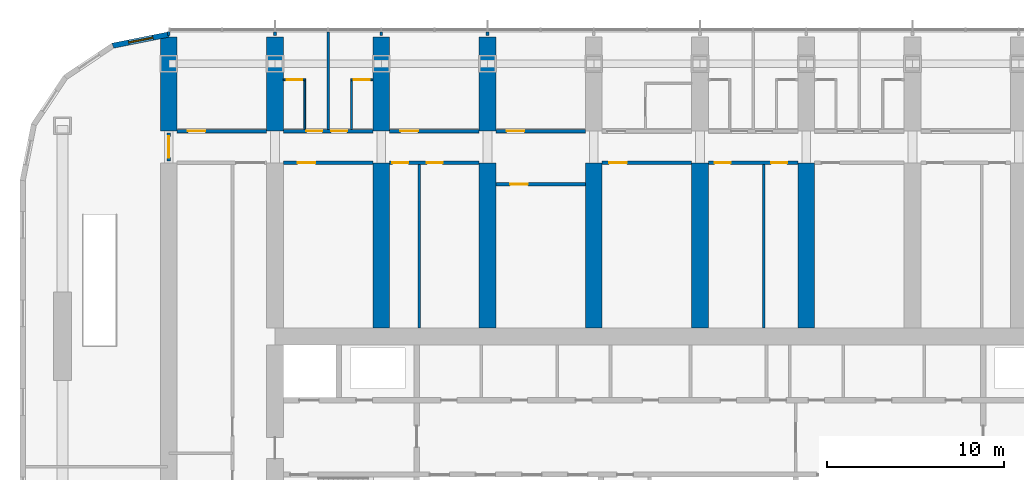
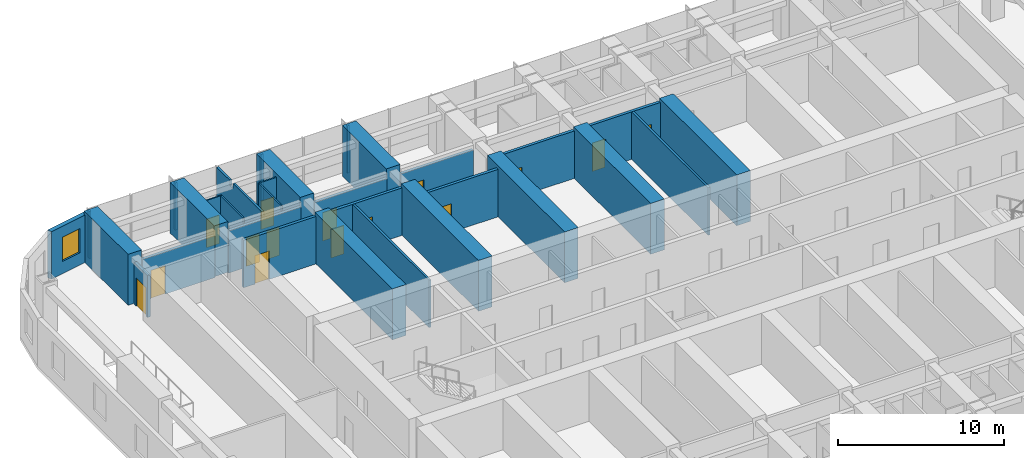
# One storey, part 13 of 21: 31 walls, 15 doors, 1 window, 16 openings.
"""IFC4 building model written with IfcOpenShell, lengths in metres."""

from ifc_helpers import new_model, si_unit, direction, frame, frame_2d, origin, place, context, subcontext, project, spatial, polyline, rectangle, outline, extrude, material, layer, layer_set, type_object, element, fill, save


model = new_model("IFC4")

# Units and contexts
model_context = context("Model", 3, precision=1e-05, world=origin(), true_north=direction((0.0, 1.0)))
body_context = subcontext(model_context, "Body", "Model", "MODEL_VIEW")
ifc_project = project(units=[si_unit("LENGTHUNIT", "METRE"), si_unit("AREAUNIT", "SQUARE_METRE"), si_unit("VOLUMEUNIT", "CUBIC_METRE"), si_unit("PLANEANGLEUNIT", "RADIAN"), si_unit("MASSUNIT", "GRAM", prefix="KILO")], contexts=[model_context])

# Site, building, storey
site_placement = place(None, origin())
site = spatial("IfcSite", under=ifc_project, at=site_placement, CompositionType="ELEMENT")
building_placement = place(site_placement, origin())
building = spatial("IfcBuilding", under=site, at=building_placement, Name="Orbita Commons", CompositionType="ELEMENT")
storey_placement = place(building_placement, frame((0.0, 0.0, 103.14990234375)))
storey = spatial("IfcBuildingStorey", under=building, at=storey_placement, Name="L25", CompositionType="ELEMENT", Elevation=103.14990234375)

# Wall, opening, door
ifc_material_1 = material(Name="Concrete blockwork", Category="masonry")
ifc_layer_1 = layer(ifc_material_1, 0.199951171875)
ifc_layer_set_1 = layer_set([ifc_layer_1], Name="Concrete blockwork")
wall_type_1 = type_object("IfcWallType", Name="Corridor wall 200 blockwork", PredefinedType="SOLIDWALL", material=ifc_layer_set_1)
wall_1_placement = place(storey_placement, frame((12.47509765625, 49.800048828125, 0.0), z_axis=(0.0, 0.0, 1.0), x_axis=(1.0, 0.0, 0.0)))
wall_1 = element("IfcWall", 1, at=wall_1_placement, inside=storey, type_object=wall_type_1, Name="Corridor wall 200 blockwork L25", PredefinedType="SOLIDWALL", context=body_context, shape_type="SweptSolid", body=[
    extrude(outline(polyline([(0.0, 0.0), (5.0498046875, 0.0), (5.050048828125, 3.10009765625), (0.0, 3.10009765625), (0.0, 0.0)])), frame((0.0, 0.10009765625, 0.0), z_axis=(0.0, -1.0, 0.0), x_axis=(1.0, 0.0, 0.0)), (0.0, 0.0, 1.0), 0.199951171875),
])
opening_1_placement = place(wall_1_placement, frame((0.60009765625, 0.0, 0.0)))
opening_1 = element("IfcOpeningElement", 2, at=opening_1_placement, cuts=wall_1, Name="Opening D06", PredefinedType="OPENING", context=body_context, shape_type="SweptSolid", body=[
    extrude(rectangle(XDim=1.0, YDim=2.10009765625, at=frame_2d((0.5, 1.050048828125))), frame((0.0, 0.10986328125, 0.0), z_axis=(0.0, -1.0, 0.0), x_axis=(1.0, 0.0, 0.0)), (0.0, 0.0, 1.0), 0.219970703125),
])
ifc_material_2 = material(Name="Steel-faced fire door leaf", Category="steel")
door_type_1 = type_object("IfcDoorType", Name="Corridor door 20 min 1000x2100", OperationType="SINGLE_SWING_LEFT", PredefinedType="DOOR", material=ifc_material_2)
door_1_placement = place(opening_1_placement, origin())
door_1 = element("IfcDoor", 3, at=door_1_placement, inside=storey, type_object=door_type_1, Name="Sea-view lounge L25-N00 door", OperationType="SINGLE_SWING_LEFT", OverallHeight=2.10009765625, OverallWidth=1.0, PredefinedType="DOOR", context=body_context, shape_type="SweptSolid", body=[
    extrude(rectangle(XDim=1.0, YDim=2.10009765625, at=frame_2d((0.5, 1.050048828125))), frame((0.0, 0.02490234375, 0.0), z_axis=(0.0, -1.0, 0.0), x_axis=(1.0, 0.0, 0.0)), (0.0, 0.0, 1.0), 0.050048828125),
])
fill(opening_1, door_1)

# Wall, openings, doors
wall_2_placement = place(storey_placement, frame((18.47509765625, 49.800048828125, 0.0), z_axis=(0.0, 0.0, 1.0), x_axis=(1.0, 0.0, 0.0)))
wall_2 = element("IfcWall", 4, at=wall_2_placement, inside=storey, type_object=wall_type_1, Name="Corridor wall 200 blockwork L25", PredefinedType="SOLIDWALL", context=body_context, shape_type="SweptSolid", body=[
    extrude(outline(polyline([(0.0, 0.0), (5.0498046875, 0.0), (5.050048828125, 3.10009765625), (0.0, 3.10009765625), (0.0, 0.0)])), frame((0.0, 0.10009765625, 0.0), z_axis=(0.0, -1.0, 0.0), x_axis=(1.0, 0.0, 0.0)), (0.0, 0.0, 1.0), 0.199951171875),
])
opening_2_placement = place(wall_2_placement, frame((1.300048828125, 0.0, 0.0)))
opening_2 = element("IfcOpeningElement", 5, at=opening_2_placement, cuts=wall_2, Name="Opening D11", PredefinedType="OPENING", context=body_context, shape_type="SweptSolid", body=[
    extrude(rectangle(XDim=0.89990234375, YDim=2.10009765625, at=frame_2d((0.449951171875, 1.050048828125))), frame((0.0, 0.10986328125, 0.0), z_axis=(0.0, -1.0, 0.0), x_axis=(1.0, 0.0, 0.0)), (0.0, 0.0, 1.0), 0.219970703125),
])
opening_3_placement = place(wall_2_placement, frame((2.699951171875, 0.0, 0.0)))
opening_3 = element("IfcOpeningElement", 6, at=opening_3_placement, cuts=wall_2, Name="Opening D11", PredefinedType="OPENING", context=body_context, shape_type="SweptSolid", body=[
    extrude(rectangle(XDim=0.89990234375, YDim=2.10009765625, at=frame_2d((0.449951171875, 1.050048828125))), frame((0.0, 0.10986328125, 0.0), z_axis=(0.0, -1.0, 0.0), x_axis=(1.0, 0.0, 0.0)), (0.0, 0.0, 1.0), 0.219970703125),
])
ifc_material_3 = material(Name="Steel-faced fire door leaf", Category="steel")
door_type_2 = type_object("IfcDoorType", Name="Corridor door 20 min 900x2100", OperationType="SINGLE_SWING_LEFT", PredefinedType="DOOR", material=ifc_material_3)
door_2_placement = place(opening_2_placement, origin())
door_2 = element("IfcDoor", 7, at=door_2_placement, inside=storey, type_object=door_type_2, Name="Cluster bedroom L25-N02 door", OperationType="SINGLE_SWING_LEFT", OverallHeight=2.10009765625, OverallWidth=0.89990234375, PredefinedType="DOOR", context=body_context, shape_type="SweptSolid", body=[
    extrude(rectangle(XDim=0.89990234375, YDim=2.10009765625, at=frame_2d((0.449951171875, 1.050048828125))), frame((0.0, 0.02490234375, 0.0), z_axis=(0.0, -1.0, 0.0), x_axis=(1.0, 0.0, 0.0)), (0.0, 0.0, 1.0), 0.050048828125),
])
fill(opening_2, door_2)
door_3_placement = place(opening_3_placement, origin())
door_3 = element("IfcDoor", 8, at=door_3_placement, inside=storey, type_object=door_type_2, Name="Cluster bedroom L25-N03 door", OperationType="SINGLE_SWING_LEFT", OverallHeight=2.10009765625, OverallWidth=0.89990234375, PredefinedType="DOOR", context=body_context, shape_type="SweptSolid", body=[
    extrude(rectangle(XDim=0.89990234375, YDim=2.10009765625, at=frame_2d((0.449951171875, 1.050048828125))), frame((0.0, 0.02490234375, 0.0), z_axis=(0.0, -1.0, 0.0), x_axis=(1.0, 0.0, 0.0)), (0.0, 0.0, 1.0), 0.050048828125),
])
fill(opening_3, door_3)

# Wall, opening, door
wall_3_placement = place(storey_placement, frame((24.47509765625, 49.800048828125, 0.0), z_axis=(0.0, 0.0, 1.0), x_axis=(1.0, 0.0, 0.0)))
wall_3 = element("IfcWall", 9, at=wall_3_placement, inside=storey, type_object=wall_type_1, Name="Corridor wall 200 blockwork L25", PredefinedType="SOLIDWALL", context=body_context, shape_type="SweptSolid", body=[
    extrude(outline(polyline([(0.0, 0.0), (5.0498046875, 0.0), (5.050048828125, 3.10009765625), (0.0, 3.10009765625), (0.0, 0.0)])), frame((0.0, 0.10009765625, 0.0), z_axis=(0.0, -1.0, 0.0), x_axis=(1.0, 0.0, 0.0)), (0.0, 0.0, 1.0), 0.199951171875),
])
opening_4_placement = place(wall_3_placement, frame((0.60009765625, 0.0, 0.0)))
opening_4 = element("IfcOpeningElement", 10, at=opening_4_placement, cuts=wall_3, Name="Opening D06", PredefinedType="OPENING", context=body_context, shape_type="SweptSolid", body=[
    extrude(rectangle(XDim=1.0, YDim=2.10009765625, at=frame_2d((0.5, 1.050048828125))), frame((0.0, 0.10986328125, 0.0), z_axis=(0.0, -1.0, 0.0), x_axis=(1.0, 0.0, 0.0)), (0.0, 0.0, 1.0), 0.219970703125),
])
door_4_placement = place(opening_4_placement, origin())
door_4 = element("IfcDoor", 11, at=door_4_placement, inside=storey, type_object=door_type_1, Name="Sea-view lounge L25-N04 door", OperationType="SINGLE_SWING_LEFT", OverallHeight=2.10009765625, OverallWidth=1.0, PredefinedType="DOOR", context=body_context, shape_type="SweptSolid", body=[
    extrude(rectangle(XDim=1.0, YDim=2.10009765625, at=frame_2d((0.5, 1.050048828125))), frame((0.0, 0.02490234375, 0.0), z_axis=(0.0, -1.0, 0.0), x_axis=(1.0, 0.0, 0.0)), (0.0, 0.0, 1.0), 0.050048828125),
])
fill(opening_4, door_4)

wall_4_placement = place(storey_placement, frame((30.47509765625, 49.800048828125, 0.0), z_axis=(0.0, 0.0, 1.0), x_axis=(1.0, 0.0, 0.0)))
wall_4 = element("IfcWall", 12, at=wall_4_placement, inside=storey, type_object=wall_type_1, Name="Corridor wall 200 blockwork L25", PredefinedType="SOLIDWALL", context=body_context, shape_type="SweptSolid", body=[
    extrude(outline(polyline([(0.0, 0.0), (5.0498046875, 0.0), (5.050048828125, 3.10009765625), (0.0, 3.10009765625), (0.0, 0.0)])), frame((0.0, 0.10009765625, 0.0), z_axis=(0.0, -1.0, 0.0), x_axis=(1.0, 0.0, 0.0)), (0.0, 0.0, 1.0), 0.199951171875),
])
opening_5_placement = place(wall_4_placement, frame((0.60009765625, 0.0, 0.0)))
opening_5 = element("IfcOpeningElement", 13, at=opening_5_placement, cuts=wall_4, Name="Opening D06", PredefinedType="OPENING", context=body_context, shape_type="SweptSolid", body=[
    extrude(rectangle(XDim=1.0, YDim=2.10009765625, at=frame_2d((0.5, 1.050048828125))), frame((0.0, 0.10986328125, 0.0), z_axis=(0.0, -1.0, 0.0), x_axis=(1.0, 0.0, 0.0)), (0.0, 0.0, 1.0), 0.219970703125),
])
door_5_placement = place(opening_5_placement, origin())
door_5 = element("IfcDoor", 14, at=door_5_placement, inside=storey, type_object=door_type_1, Name="Sea-view lounge L25-N06 door", OperationType="SINGLE_SWING_LEFT", OverallHeight=2.10009765625, OverallWidth=1.0, PredefinedType="DOOR", context=body_context, shape_type="SweptSolid", body=[
    extrude(rectangle(XDim=1.0, YDim=2.10009765625, at=frame_2d((0.5, 1.050048828125))), frame((0.0, 0.02490234375, 0.0), z_axis=(0.0, -1.0, 0.0), x_axis=(1.0, 0.0, 0.0)), (0.0, 0.0, 1.0), 0.050048828125),
])
fill(opening_5, door_5)

wall_5_placement = place(storey_placement, frame((12.0, 48.10009765625, 0.0), z_axis=(0.0, 0.0, 1.0), x_axis=(0.0, 1.0, 0.0)))
wall_5 = element("IfcWall", 15, at=wall_5_placement, inside=storey, type_object=wall_type_1, Name="Corridor wall 200 blockwork L25", PredefinedType="SOLIDWALL", context=body_context, shape_type="SweptSolid", body=[
    extrude(outline(polyline([(0.0, 0.0), (1.599853515625, 0.0), (1.60009765625, 3.10009765625), (0.0, 3.10009765625), (0.0, 0.0)])), frame((0.0, 0.10009765625, 0.0), z_axis=(0.0, -1.0, 0.0), x_axis=(1.0, 0.0, 0.0)), (0.0, 0.0, 1.0), 0.199951171875),
])
opening_6_placement = place(wall_5_placement, frame((0.199951171875, 0.0, 0.0)))
opening_6 = element("IfcOpeningElement", 16, at=opening_6_placement, cuts=wall_5, Name="Opening D12", PredefinedType="OPENING", context=body_context, shape_type="SweptSolid", body=[
    extrude(rectangle(XDim=1.199951171875, YDim=2.10009765625, at=frame_2d((0.60009765625, 1.050048828125))), frame((0.0, 0.10986328125, 0.0), z_axis=(0.0, -1.0, 0.0), x_axis=(1.0, 0.0, 0.0)), (0.0, 0.0, 1.0), 0.219970703125),
])
ifc_material_4 = material(Name="Steel-faced fire door leaf", Category="steel")
door_type_3 = type_object("IfcDoorType", Name="Double corridor door 20 min 1200x2100", OperationType="DOUBLE_DOOR_SINGLE_SWING", PredefinedType="DOOR", material=ifc_material_4)
door_6_placement = place(opening_6_placement, origin())
door_6 = element("IfcDoor", 17, at=door_6_placement, inside=storey, type_object=door_type_3, Name="Lounge doors", OperationType="DOUBLE_DOOR_SINGLE_SWING", OverallHeight=2.10009765625, OverallWidth=1.199951171875, PredefinedType="DOOR", context=body_context, shape_type="SweptSolid", body=[
    extrude(rectangle(XDim=1.199951171875, YDim=2.10009765625, at=frame_2d((0.60009765625, 1.050048828125))), frame((0.0, 0.02490234375, 0.0), z_axis=(0.0, -1.0, 0.0), x_axis=(1.0, 0.0, 0.0)), (0.0, 0.0, 1.0), 0.050048828125),
])
fill(opening_6, door_6)

ifc_material_5 = material(Name="Hollow concrete block 200", Category="concrete")
ifc_layer_2 = layer(ifc_material_5, 0.199951171875)
ifc_layer_set_2 = layer_set([ifc_layer_2], Name="Hollow concrete block 200")
wall_type_2 = type_object("IfcWallType", Name="Corridor wall 200 hollow concrete block", PredefinedType="SOLIDWALL", material=ifc_layer_set_2)
wall_6_placement = place(storey_placement, frame((18.47509765625, 48.0, 0.0), z_axis=(0.0, 0.0, 1.0), x_axis=(1.0, 0.0, 0.0)))
wall_6 = element("IfcWall", 18, at=wall_6_placement, inside=storey, type_object=wall_type_2, Name="Corridor wall 200 hollow concrete block L25", PredefinedType="SOLIDWALL", context=body_context, shape_type="SweptSolid", body=[
    extrude(rectangle(XDim=5.0498046875, YDim=0.199951171875, at=frame_2d((2.52490234375, 0.0))), origin(), (0.0, 0.0, 1.0), 3.5),
])
opening_7_placement = place(wall_6_placement, frame((0.800048828125, 0.0, 0.0)))
opening_7 = element("IfcOpeningElement", 19, at=opening_7_placement, cuts=wall_6, Name="Opening D06", PredefinedType="OPENING", context=body_context, shape_type="SweptSolid", body=[
    extrude(rectangle(XDim=1.0, YDim=2.10009765625, at=frame_2d((0.5, 1.050048828125))), frame((0.0, 0.10986328125, 0.0), z_axis=(0.0, -1.0, 0.0), x_axis=(1.0, 0.0, 0.0)), (0.0, 0.0, 1.0), 0.219970703125),
])
door_7_placement = place(opening_7_placement, origin())
door_7 = element("IfcDoor", 20, at=door_7_placement, inside=storey, type_object=door_type_1, Name="Electrical and data room L25-BDN18 door", OperationType="SINGLE_SWING_LEFT", OverallHeight=2.10009765625, OverallWidth=1.0, PredefinedType="DOOR", context=body_context, shape_type="SweptSolid", body=[
    extrude(rectangle(XDim=1.0, YDim=2.10009765625, at=frame_2d((0.5, 1.050048828125))), frame((0.0, 0.02490234375, 0.0), z_axis=(0.0, -1.0, 0.0), x_axis=(1.0, 0.0, 0.0)), (0.0, 0.0, 1.0), 0.050048828125),
])
fill(opening_7, door_7)

# Wall, openings, doors
wall_7_placement = place(storey_placement, frame((24.47509765625, 48.0, 0.0), z_axis=(0.0, 0.0, 1.0), x_axis=(1.0, 0.0, 0.0)))
wall_7 = element("IfcWall", 21, at=wall_7_placement, inside=storey, type_object=wall_type_2, Name="Corridor wall 200 hollow concrete block L25", PredefinedType="SOLIDWALL", context=body_context, shape_type="SweptSolid", body=[
    extrude(rectangle(XDim=5.0498046875, YDim=0.199951171875, at=frame_2d((2.52490234375, 0.0))), origin(), (0.0, 0.0, 1.0), 3.5),
])
opening_8_placement = place(wall_7_placement, frame((0.14990234375, 0.0, 0.0)))
opening_8 = element("IfcOpeningElement", 22, at=opening_8_placement, cuts=wall_7, Name="Opening D11", PredefinedType="OPENING", context=body_context, shape_type="SweptSolid", body=[
    extrude(rectangle(XDim=0.89990234375, YDim=2.10009765625, at=frame_2d((0.449951171875, 1.050048828125))), frame((0.0, 0.10986328125, 0.0), z_axis=(0.0, -1.0, 0.0), x_axis=(1.0, 0.0, 0.0)), (0.0, 0.0, 1.0), 0.219970703125),
])
opening_9_placement = place(wall_7_placement, frame((2.094970703125, 0.0, 0.0)))
opening_9 = element("IfcOpeningElement", 23, at=opening_9_placement, cuts=wall_7, Name="Opening D11", PredefinedType="OPENING", context=body_context, shape_type="SweptSolid", body=[
    extrude(rectangle(XDim=0.89990234375, YDim=2.10009765625, at=frame_2d((0.449951171875, 1.050048828125))), frame((0.0, 0.10986328125, 0.0), z_axis=(0.0, -1.0, 0.0), x_axis=(1.0, 0.0, 0.0)), (0.0, 0.0, 1.0), 0.219970703125),
])
door_8_placement = place(opening_8_placement, origin())
door_8 = element("IfcDoor", 24, at=door_8_placement, inside=storey, type_object=door_type_2, Name="Battery and UPS room L25-BDN24n door", OperationType="SINGLE_SWING_LEFT", OverallHeight=2.10009765625, OverallWidth=0.89990234375, PredefinedType="DOOR", context=body_context, shape_type="SweptSolid", body=[
    extrude(rectangle(XDim=0.89990234375, YDim=2.10009765625, at=frame_2d((0.449951171875, 1.050048828125))), frame((0.0, 0.02490234375, 0.0), z_axis=(0.0, -1.0, 0.0), x_axis=(1.0, 0.0, 0.0)), (0.0, 0.0, 1.0), 0.050048828125),
])
fill(opening_8, door_8)
door_9_placement = place(opening_9_placement, origin())
door_9 = element("IfcDoor", 25, at=door_9_placement, inside=storey, type_object=door_type_2, Name="Storage lockers L25-BDN24 door", OperationType="SINGLE_SWING_LEFT", OverallHeight=2.10009765625, OverallWidth=0.89990234375, PredefinedType="DOOR", context=body_context, shape_type="SweptSolid", body=[
    extrude(rectangle(XDim=0.89990234375, YDim=2.10009765625, at=frame_2d((0.449951171875, 1.050048828125))), frame((0.0, 0.02490234375, 0.0), z_axis=(0.0, -1.0, 0.0), x_axis=(1.0, 0.0, 0.0)), (0.0, 0.0, 1.0), 0.050048828125),
])
fill(opening_9, door_9)

# Wall, opening, door
wall_8_placement = place(storey_placement, frame((36.47509765625, 48.0, 0.0), z_axis=(0.0, 0.0, 1.0), x_axis=(1.0, 0.0, 0.0)))
wall_8 = element("IfcWall", 26, at=wall_8_placement, inside=storey, type_object=wall_type_2, Name="Corridor wall 200 hollow concrete block L25", PredefinedType="SOLIDWALL", context=body_context, shape_type="SweptSolid", body=[
    extrude(rectangle(XDim=5.0498046875, YDim=0.199951171875, at=frame_2d((2.52490234375, 0.0))), origin(), (0.0, 0.0, 1.0), 3.5),
])
opening_10_placement = place(wall_8_placement, frame((0.39990234375, 0.0, 0.0)))
opening_10 = element("IfcOpeningElement", 27, at=opening_10_placement, cuts=wall_8, Name="Opening D06", PredefinedType="OPENING", context=body_context, shape_type="SweptSolid", body=[
    extrude(rectangle(XDim=1.0, YDim=2.10009765625, at=frame_2d((0.5, 1.050048828125))), frame((0.0, 0.10986328125, 0.0), z_axis=(0.0, -1.0, 0.0), x_axis=(1.0, 0.0, 0.0)), (0.0, 0.0, 1.0), 0.219970703125),
])
door_10_placement = place(opening_10_placement, origin())
door_10 = element("IfcDoor", 28, at=door_10_placement, inside=storey, type_object=door_type_1, Name="Parcel and post room L25-BDN36 door", OperationType="SINGLE_SWING_LEFT", OverallHeight=2.10009765625, OverallWidth=1.0, PredefinedType="DOOR", context=body_context, shape_type="SweptSolid", body=[
    extrude(rectangle(XDim=1.0, YDim=2.10009765625, at=frame_2d((0.5, 1.050048828125))), frame((0.0, 0.02490234375, 0.0), z_axis=(0.0, -1.0, 0.0), x_axis=(1.0, 0.0, 0.0)), (0.0, 0.0, 1.0), 0.050048828125),
])
fill(opening_10, door_10)

# Wall, openings, doors
wall_9_placement = place(storey_placement, frame((42.47509765625, 48.0, 0.0), z_axis=(0.0, 0.0, 1.0), x_axis=(1.0, 0.0, 0.0)))
wall_9 = element("IfcWall", 29, at=wall_9_placement, inside=storey, type_object=wall_type_2, Name="Corridor wall 200 hollow concrete block L25", PredefinedType="SOLIDWALL", context=body_context, shape_type="SweptSolid", body=[
    extrude(rectangle(XDim=5.0498046875, YDim=0.199951171875, at=frame_2d((2.52490234375, 0.0))), origin(), (0.0, 0.0, 1.0), 3.5),
])
opening_11_placement = place(wall_9_placement, frame((0.35009765625, 0.0, 0.0)))
opening_11 = element("IfcOpeningElement", 30, at=opening_11_placement, cuts=wall_9, Name="Opening D11", PredefinedType="OPENING", context=body_context, shape_type="SweptSolid", body=[
    extrude(rectangle(XDim=0.89990234375, YDim=2.10009765625, at=frame_2d((0.449951171875, 1.050048828125))), frame((0.0, 0.10986328125, 0.0), z_axis=(0.0, -1.0, 0.0), x_axis=(1.0, 0.0, 0.0)), (0.0, 0.0, 1.0), 0.219970703125),
])
opening_12_placement = place(wall_9_placement, frame((3.544921875, 0.0, 0.0)))
opening_12 = element("IfcOpeningElement", 31, at=opening_12_placement, cuts=wall_9, Name="Opening D11", PredefinedType="OPENING", context=body_context, shape_type="SweptSolid", body=[
    extrude(rectangle(XDim=0.89990234375, YDim=2.10009765625, at=frame_2d((0.449951171875, 1.050048828125))), frame((0.0, 0.10986328125, 0.0), z_axis=(0.0, -1.0, 0.0), x_axis=(1.0, 0.0, 0.0)), (0.0, 0.0, 1.0), 0.219970703125),
])
door_11_placement = place(opening_11_placement, origin())
door_11 = element("IfcDoor", 32, at=door_11_placement, inside=storey, type_object=door_type_2, Name="Ventilation plant room south L25-BDN42 door", OperationType="SINGLE_SWING_LEFT", OverallHeight=2.10009765625, OverallWidth=0.89990234375, PredefinedType="DOOR", context=body_context, shape_type="SweptSolid", body=[
    extrude(rectangle(XDim=0.89990234375, YDim=2.10009765625, at=frame_2d((0.449951171875, 1.050048828125))), frame((0.0, 0.02490234375, 0.0), z_axis=(0.0, -1.0, 0.0), x_axis=(1.0, 0.0, 0.0)), (0.0, 0.0, 1.0), 0.050048828125),
])
fill(opening_11, door_11)
door_12_placement = place(opening_12_placement, origin())
door_12 = element("IfcDoor", 33, at=door_12_placement, inside=storey, type_object=door_type_2, Name="Sprinkler valve room L25-BDN42n door", OperationType="SINGLE_SWING_LEFT", OverallHeight=2.10009765625, OverallWidth=0.89990234375, PredefinedType="DOOR", context=body_context, shape_type="SweptSolid", body=[
    extrude(rectangle(XDim=0.89990234375, YDim=2.10009765625, at=frame_2d((0.449951171875, 1.050048828125))), frame((0.0, 0.02490234375, 0.0), z_axis=(0.0, -1.0, 0.0), x_axis=(1.0, 0.0, 0.0)), (0.0, 0.0, 1.0), 0.050048828125),
])
fill(opening_12, door_12)

# Wall, opening, door
wall_10_placement = place(storey_placement, frame((30.47509765625, 46.800048828125, 0.0), z_axis=(0.0, 0.0, 1.0), x_axis=(1.0, 0.0, 0.0)))
wall_10 = element("IfcWall", 34, at=wall_10_placement, inside=storey, type_object=wall_type_2, Name="Corridor wall 200 hollow concrete block L25", PredefinedType="SOLIDWALL", context=body_context, shape_type="SweptSolid", body=[
    extrude(rectangle(XDim=5.0498046875, YDim=0.199951171875, at=frame_2d((2.52490234375, 0.0))), origin(), (0.0, 0.0, 1.0), 3.5),
])
opening_13_placement = place(wall_10_placement, frame((0.800048828125, 0.0, 0.0)))
opening_13 = element("IfcOpeningElement", 35, at=opening_13_placement, cuts=wall_10, Name="Opening D06", PredefinedType="OPENING", context=body_context, shape_type="SweptSolid", body=[
    extrude(rectangle(XDim=1.0, YDim=2.10009765625, at=frame_2d((0.5, 1.050048828125))), frame((0.0, 0.10986328125, 0.0), z_axis=(0.0, -1.0, 0.0), x_axis=(1.0, 0.0, 0.0)), (0.0, 0.0, 1.0), 0.219970703125),
])
door_13_placement = place(opening_13_placement, origin())
door_13 = element("IfcDoor", 36, at=door_13_placement, inside=storey, type_object=door_type_1, Name="Ventilation plant room north L25-BDN30 door", OperationType="SINGLE_SWING_LEFT", OverallHeight=2.10009765625, OverallWidth=1.0, PredefinedType="DOOR", context=body_context, shape_type="SweptSolid", body=[
    extrude(rectangle(XDim=1.0, YDim=2.10009765625, at=frame_2d((0.5, 1.050048828125))), frame((0.0, 0.02490234375, 0.0), z_axis=(0.0, -1.0, 0.0), x_axis=(1.0, 0.0, 0.0)), (0.0, 0.0, 1.0), 0.050048828125),
])
fill(opening_13, door_13)

# Walls
ifc_material_6 = material(Name="Concrete C50/60", Category="concrete")
ifc_layer_3 = layer(ifc_material_6, 0.949951171875)
ifc_layer_set_3 = layer_set([ifc_layer_3], Name="Concrete C50/60")
wall_type_3 = type_object("IfcWallType", Name="Cross wall 950 C50/60", PredefinedType="SHEAR", material=ifc_layer_set_3)
for number, where, z_axis, x_axis, name in (
    (37, (12.0, 49.800048828125, 0.0), (0.0, 0.0, 1.0), (0.0, 1.0, 0.0), "Cross wall 3 north outer L25"),
    (38, (18.0, 49.800048828125, 0.0), (0.0, 0.0, 1.0), (0.0, 1.0, 0.0), "Cross wall 4 north outer L25"),
    (39, (24.0, 49.800048828125, 0.0), (0.0, 0.0, 1.0), (0.0, 1.0, 0.0), "Cross wall 5 north outer L25"),
):
    element("IfcWall", number, at=place(storey_placement, frame(where, z_axis=z_axis, x_axis=x_axis)), inside=storey, type_object=wall_type_3, Name=name, PredefinedType="SHEAR", context=body_context, shape_type="SweptSolid", body=[
        extrude(rectangle(XDim=5.300048828125, YDim=0.949951171875, at=frame_2d((2.64990234375, 0.0))), origin(), (0.0, 0.0, 1.0), 3.75),
    ])
wall_11_placement = place(storey_placement, frame((24.0, 38.675048828125, 0.0), z_axis=(0.0, 0.0, 1.0), x_axis=(0.0, 1.0, 0.0)))
element("IfcWall", 40, at=wall_11_placement, inside=storey, type_object=wall_type_3, Name="Cross wall 5 north inner L25", PredefinedType="SHEAR", context=body_context, shape_type="SweptSolid", body=[
    extrude(rectangle(XDim=9.324951171875, YDim=0.949951171875, at=frame_2d((4.66259765625, 0.0))), origin(), (0.0, 0.0, 1.0), 3.75),
])
wall_12_placement = place(storey_placement, frame((30.0, 49.800048828125, 0.0), z_axis=(0.0, 0.0, 1.0), x_axis=(0.0, 1.0, 0.0)))
element("IfcWall", 41, at=wall_12_placement, inside=storey, type_object=wall_type_3, Name="Cross wall 6 north outer L25", PredefinedType="SHEAR", context=body_context, shape_type="SweptSolid", body=[
    extrude(rectangle(XDim=5.300048828125, YDim=0.949951171875, at=frame_2d((2.64990234375, 0.0))), origin(), (0.0, 0.0, 1.0), 3.75),
])
for number, where, z_axis, x_axis, name in (
    (42, (30.0, 38.675048828125, 0.0), (0.0, 0.0, 1.0), (0.0, 1.0, 0.0), "Cross wall 6 north inner L25"),
    (43, (36.0, 38.675048828125, 0.0), (0.0, 0.0, 1.0), (0.0, 1.0, 0.0), "Cross wall 7 north inner L25"),
    (44, (42.0, 38.675048828125, 0.0), (0.0, 0.0, 1.0), (0.0, 1.0, 0.0), "Cross wall 8 north inner L25"),
    (45, (48.0, 38.675048828125, 0.0), (0.0, 0.0, 1.0), (0.0, 1.0, 0.0), "Cross wall 9 north inner L25"),
):
    element("IfcWall", number, at=place(storey_placement, frame(where, z_axis=z_axis, x_axis=x_axis)), inside=storey, type_object=wall_type_3, Name=name, PredefinedType="SHEAR", context=body_context, shape_type="SweptSolid", body=[
        extrude(rectangle(XDim=9.324951171875, YDim=0.949951171875, at=frame_2d((4.66259765625, 0.0))), origin(), (0.0, 0.0, 1.0), 3.75),
    ])

# Wall, opening, door
ifc_material_7 = material(Name="Moisture-resistant plasterboard on steel studs", Category="steel")
ifc_layer_4 = layer(ifc_material_7, 0.10009765625)
ifc_layer_set_4 = layer_set([ifc_layer_4], Name="Moisture-resistant plasterboard on steel studs")
wall_type_4 = type_object("IfcWallType", Name="En-suite partition 100", PredefinedType="PARTITIONING", material=ifc_layer_set_4)
wall_13_placement = place(storey_placement, frame((18.47509765625, 52.699951171875, 0.0), z_axis=(0.0, 0.0, 1.0), x_axis=(1.0, 0.0, 0.0)))
wall_13 = element("IfcWall", 46, at=wall_13_placement, inside=storey, type_object=wall_type_4, Name="En-suite partition 100 L25", PredefinedType="PARTITIONING", context=body_context, shape_type="SweptSolid", body=[
    extrude(rectangle(XDim=1.25, YDim=0.10009765625, at=frame_2d((0.625, 0.0))), origin(), (0.0, 0.0, 1.0), 3.5),
])
opening_14_placement = place(wall_13_placement, frame((0.175048828125, 0.0, 0.0)))
opening_14 = element("IfcOpeningElement", 47, at=opening_14_placement, cuts=wall_13, Name="Opening D09", PredefinedType="OPENING", context=body_context, shape_type="SweptSolid", body=[
    extrude(rectangle(XDim=0.89990234375, YDim=2.10009765625, at=frame_2d((0.449951171875, 1.050048828125))), frame((0.0, 0.06005859375, 0.0), z_axis=(0.0, -1.0, 0.0), x_axis=(1.0, 0.0, 0.0)), (0.0, 0.0, 1.0), 0.1201171875),
])
ifc_material_8 = material(Name="Laminated timber door leaf", Category="wood")
door_type_4 = type_object("IfcDoorType", Name="En-suite door 900x2100", OperationType="SINGLE_SWING_RIGHT", PredefinedType="DOOR", material=ifc_material_8)
door_14_placement = place(opening_14_placement, origin())
door_14 = element("IfcDoor", 48, at=door_14_placement, inside=storey, type_object=door_type_4, Name="En-suite L25-N02 door", OperationType="SINGLE_SWING_RIGHT", OverallHeight=2.10009765625, OverallWidth=0.89990234375, PredefinedType="DOOR", context=body_context, shape_type="SweptSolid", body=[
    extrude(rectangle(XDim=0.89990234375, YDim=2.10009765625, at=frame_2d((0.449951171875, 1.050048828125))), frame((0.0, 0.02490234375, 0.0), z_axis=(0.0, -1.0, 0.0), x_axis=(1.0, 0.0, 0.0)), (0.0, 0.0, 1.0), 0.050048828125),
])
fill(opening_14, door_14)

# Wall
wall_14_placement = place(storey_placement, frame((19.675048828125, 52.64990234375, 0.0), z_axis=(0.0, 0.0, 1.0), x_axis=(0.0, -1.0, 0.0)))
element("IfcWall", 49, at=wall_14_placement, inside=storey, type_object=wall_type_4, Name="En-suite partition 100 L25", PredefinedType="PARTITIONING", context=body_context, shape_type="SweptSolid", body=[
    extrude(outline(polyline([(0.0, 0.0), (2.75, 0.0), (2.75, 3.10009765625), (2.701904296875, 3.10009765625), (2.699951171875, 3.5), (0.0, 3.5), (0.0, 0.0)])), frame((0.0, 0.050048828125, 0.0), z_axis=(0.0, -1.0, 0.0), x_axis=(1.0, 0.0, 0.0)), (0.0, 0.0, 1.0), 0.10009765625),
])

# Wall, opening, door
wall_15_placement = place(storey_placement, frame((22.27490234375, 52.699951171875, 0.0), z_axis=(0.0, 0.0, 1.0), x_axis=(1.0, 0.0, 0.0)))
wall_15 = element("IfcWall", 50, at=wall_15_placement, inside=storey, type_object=wall_type_4, Name="En-suite partition 100 L25", PredefinedType="PARTITIONING", context=body_context, shape_type="SweptSolid", body=[
    extrude(rectangle(XDim=1.25, YDim=0.10009765625, at=frame_2d((0.625, 0.0))), origin(), (0.0, 0.0, 1.0), 3.5),
])
opening_15_placement = place(wall_15_placement, frame((0.175048828125, 0.0, 0.0)))
opening_15 = element("IfcOpeningElement", 51, at=opening_15_placement, cuts=wall_15, Name="Opening D09", PredefinedType="OPENING", context=body_context, shape_type="SweptSolid", body=[
    extrude(rectangle(XDim=0.89990234375, YDim=2.10009765625, at=frame_2d((0.449951171875, 1.050048828125))), frame((0.0, 0.06005859375, 0.0), z_axis=(0.0, -1.0, 0.0), x_axis=(1.0, 0.0, 0.0)), (0.0, 0.0, 1.0), 0.1201171875),
])
door_15_placement = place(opening_15_placement, origin())
door_15 = element("IfcDoor", 52, at=door_15_placement, inside=storey, type_object=door_type_4, Name="En-suite L25-N03 door", OperationType="SINGLE_SWING_RIGHT", OverallHeight=2.10009765625, OverallWidth=0.89990234375, PredefinedType="DOOR", context=body_context, shape_type="SweptSolid", body=[
    extrude(rectangle(XDim=0.89990234375, YDim=2.10009765625, at=frame_2d((0.449951171875, 1.050048828125))), frame((0.0, 0.02490234375, 0.0), z_axis=(0.0, -1.0, 0.0), x_axis=(1.0, 0.0, 0.0)), (0.0, 0.0, 1.0), 0.050048828125),
])
fill(opening_15, door_15)

# Walls
wall_16_placement = place(storey_placement, frame((22.324951171875, 52.64990234375, 0.0), z_axis=(0.0, 0.0, 1.0), x_axis=(0.0, -1.0, 0.0)))
element("IfcWall", 53, at=wall_16_placement, inside=storey, type_object=wall_type_4, Name="En-suite partition 100 L25", PredefinedType="PARTITIONING", context=body_context, shape_type="SweptSolid", body=[
    extrude(outline(polyline([(0.0, 0.0), (2.75, 0.0), (2.75, 3.10009765625), (2.701904296875, 3.10009765625), (2.699951171875, 3.5), (0.0, 3.5), (0.0, 0.0)])), frame((0.0, 0.050048828125, 0.0), z_axis=(0.0, -1.0, 0.0), x_axis=(1.0, 0.0, 0.0)), (0.0, 0.0, 1.0), 0.10009765625),
])
ifc_material_9 = material(Name="Gypsum plasterboard on steel studs", Category="steel")
ifc_layer_5 = layer(ifc_material_9, 0.14990234375)
ifc_layer_set_5 = layer_set([ifc_layer_5], Name="Gypsum plasterboard on steel studs")
wall_type_5 = type_object("IfcWallType", Name="Partition 150 plasterboard", PredefinedType="PARTITIONING", material=ifc_layer_set_5)
for number, where, z_axis, x_axis, name in (
    (54, (26.14501953125, 38.675048828125, 0.0), (0.0, 0.0, 1.0), (0.0, 1.0, 0.0), "Partition 150 plasterboard L25"),
    (55, (45.594970703125, 38.675048828125, 0.0), (0.0, 0.0, 1.0), (0.0, 1.0, 0.0), "Partition 150 plasterboard L25"),
):
    element("IfcWall", number, at=place(storey_placement, frame(where, z_axis=z_axis, x_axis=x_axis)), inside=storey, type_object=wall_type_5, Name=name, PredefinedType="PARTITIONING", context=body_context, shape_type="SweptSolid", body=[
        extrude(rectangle(XDim=9.224853515625, YDim=0.14990234375, at=frame_2d((4.6123046875, 0.0))), origin(), (0.0, 0.0, 1.0), 3.5),
    ])
wall_17_placement = place(storey_placement, frame((12.0, 55.199951171875, 0.0), z_axis=(0.0, 0.0, 1.0), x_axis=(0.0, 1.0, 0.0)))
element("IfcWall", 56, at=wall_17_placement, inside=storey, type_object=wall_type_5, Name="Partition 150 plasterboard L25", PredefinedType="PARTITIONING", context=body_context, shape_type="SweptSolid", body=[
    extrude(rectangle(XDim=0.219970703125, YDim=0.14990234375, at=frame_2d((0.10986328125, 0.0))), origin(), (0.0, 0.0, 1.0), 3.5),
])
for number, where, z_axis, x_axis, name in (
    (57, (18.0, 55.199951171875, 0.0), (0.0, 0.0, 1.0), (0.0, 1.0, 0.0), "Partition 150 plasterboard L25"),
    (58, (24.0, 55.199951171875, 0.0), (0.0, 0.0, 1.0), (0.0, 1.0, 0.0), "Partition 150 plasterboard L25"),
    (59, (30.0, 55.199951171875, 0.0), (0.0, 0.0, 1.0), (0.0, 1.0, 0.0), "Partition 150 plasterboard L25"),
):
    element("IfcWall", number, at=place(storey_placement, frame(where, z_axis=z_axis, x_axis=x_axis)), inside=storey, type_object=wall_type_5, Name=name, PredefinedType="PARTITIONING", context=body_context, shape_type="SweptSolid", body=[
        extrude(rectangle(XDim=0.18994140625, YDim=0.14990234375, at=frame_2d((0.094970703125, 0.0))), origin(), (0.0, 0.0, 1.0), 3.5),
    ])
ifc_material_10 = material(Name="Gypsum plasterboard on steel studs", Category="steel")
ifc_layer_6 = layer(ifc_material_10, 0.14990234375)
ifc_layer_set_6 = layer_set([ifc_layer_6], Name="Gypsum plasterboard on steel studs")
wall_type_6 = type_object("IfcWallType", Name="Party wall 150 plasterboard", PredefinedType="PARTITIONING", material=ifc_layer_set_6)
wall_18_placement = place(storey_placement, frame((21.0, 55.389892578125, 0.0), z_axis=(0.0, 0.0, 1.0), x_axis=(0.0, -1.0, 0.0)))
element("IfcWall", 60, at=wall_18_placement, inside=storey, type_object=wall_type_6, Name="Party wall 150 plasterboard L25", PredefinedType="PARTITIONING", context=body_context, shape_type="SweptSolid", body=[
    extrude(outline(polyline([(0.0, 0.0), (5.489990234375, 0.0), (5.489990234375, 3.10009765625), (5.44189453125, 3.10009765625), (5.43994140625, 3.5), (1.991943359375, 3.5), (1.989990234375, 3.10009765625), (1.592041015625, 3.10009765625), (1.590087890625, 3.5), (0.0, 3.5), (0.0, 0.0)])), frame((0.0, 0.074951171875, 0.0), z_axis=(0.0, -1.0, 0.0), x_axis=(1.0, 0.0, 0.0)), (0.0, 0.0, 1.0), 0.14990234375),
])

# Wall, opening, window
ifc_material_11 = material(Name="Precast concrete C40/50, white board-marked finish", Category="concrete")
ifc_layer_7 = layer(ifc_material_11, 0.300048828125)
ifc_layer_set_7 = layer_set([ifc_layer_7], Name="Precast concrete C40/50, white board-marked finish")
wall_type_7 = type_object("IfcWallType", Name="Precast concrete end shield 300", PredefinedType="SOLIDWALL", material=ifc_layer_set_7)
wall_19_placement = place(storey_placement, frame((12.0, 55.25, 0.0), z_axis=(0.0, 0.0, 1.0), x_axis=(-0.980787251524, -0.195080412259, 0.0)))
wall_19 = element("IfcWall", 61, at=wall_19_placement, inside=storey, type_object=wall_type_7, Name="End shield NW chord 1 L25", PredefinedType="SOLIDWALL", context=body_context, shape_type="SweptSolid", body=[
    extrude(outline(polyline([(-0.02978515625, -0.14990234375), (3.24853515625, -0.14990234375), (3.18896484375, 0.14990234375), (0.02978515625, 0.14990234375), (-0.02978515625, -0.14990234375)])), origin(), (0.0, 0.0, 1.0), 3.5),
])
opening_16_placement = place(wall_19_placement, frame((0.909423828125, 0.0, 0.89990234375)))
opening_16 = element("IfcOpeningElement", 62, at=opening_16_placement, cuts=wall_19, Name="Opening W02", PredefinedType="OPENING", context=body_context, shape_type="SweptSolid", body=[
    extrude(rectangle(XDim=1.39990234375, YDim=1.800048828125, at=frame_2d((0.699951171875, 0.89990234375))), frame((0.0, 0.159912109375, 0.0), z_axis=(0.0, -1.0, 0.0), x_axis=(1.0, 0.0, 0.0)), (0.0, 0.0, 1.0), 0.320068359375),
])
ifc_material_12 = material(Name="Aluminium frame, clear double glazing", Category="aluminium")
window_type = type_object("IfcWindowType", Name="Deep-set window 1400x1800", PartitioningType="SINGLE_PANEL", PredefinedType="WINDOW", material=ifc_material_12)
window_placement = place(opening_16_placement, origin())
window = element("IfcWindow", 63, at=window_placement, inside=storey, type_object=window_type, Name="Window L25-NW0", OverallHeight=1.800048828125, OverallWidth=1.39990234375, PartitioningType="SINGLE_PANEL", PredefinedType="WINDOW", context=body_context, shape_type="SweptSolid", body=[
    extrude(rectangle(XDim=1.39990234375, YDim=1.800048828125, at=frame_2d((0.699951171875, 0.89990234375))), frame((0.0, 0.030029296875, 0.0), z_axis=(0.0, -1.0, 0.0), x_axis=(1.0, 0.0, 0.0)), (0.0, 0.0, 1.0), 0.06005859375),
])
fill(opening_16, window)

save(model, "model.ifc")
